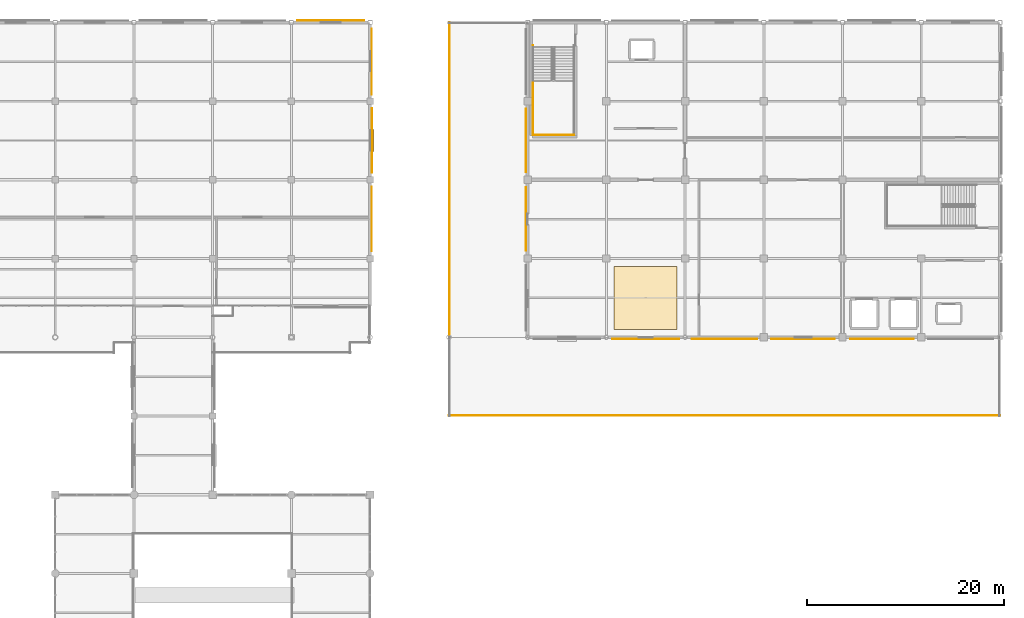
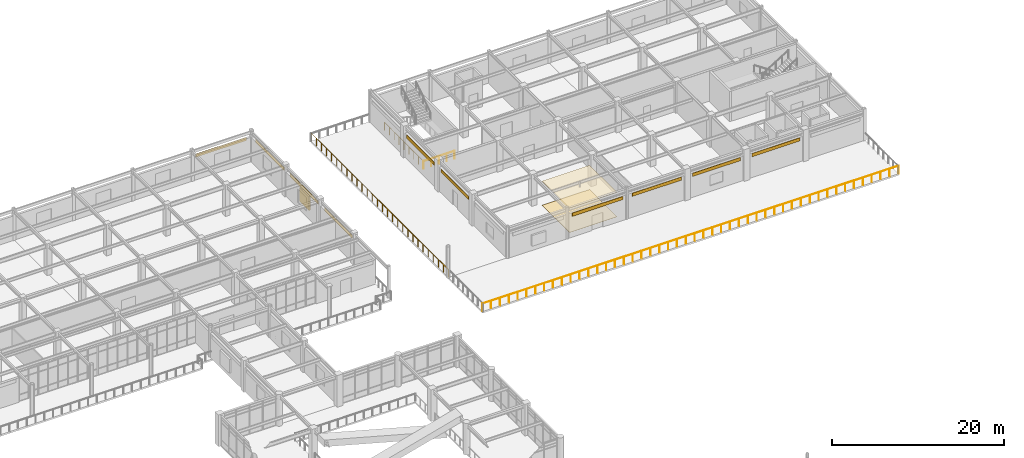
# One storey, part 71 of 75: 12 coverings, 4 railings, 1 shading device.
"""IFC4 building model written with IfcOpenShell, lengths in metres."""

from ifc_helpers import new_model, si_unit, direction, frame, origin, origin_2d, place, context, subcontext, project, spatial, polyline, rectangle, circle, outline, extrude, material, layer, layer_set, type_object, element, save


model = new_model("IFC4")

# Units and contexts
model_context = context("Model", 3, precision=1e-05, world=origin(), true_north=direction((0.0, 1.0)))
body_context = subcontext(model_context, "Body", "Model", "MODEL_VIEW")
ifc_project = project(units=[si_unit("LENGTHUNIT", "METRE"), si_unit("AREAUNIT", "SQUARE_METRE"), si_unit("VOLUMEUNIT", "CUBIC_METRE"), si_unit("PLANEANGLEUNIT", "RADIAN"), si_unit("MASSUNIT", "GRAM", prefix="KILO")], contexts=[model_context])

# Site, building, storey
site_placement = place(None, origin())
site = spatial("IfcSite", under=ifc_project, at=site_placement, CompositionType="ELEMENT")
building_placement = place(site_placement, origin())
building = spatial("IfcBuilding", under=site, at=building_placement, Name="Solmirada Galleria", CompositionType="ELEMENT")
storey_placement = place(building_placement, frame((0.0, 0.0, 19.39990234375)))
storey = spatial("IfcBuildingStorey", under=building, at=storey_placement, Name="L04", CompositionType="ELEMENT", Elevation=19.39990234375)

# Coverings
ifc_material_1 = material(Name="Perforated acoustic mineral-fibre ceiling")
ifc_layer_1 = layer(ifc_material_1, 0.02490234375)
ifc_layer_set_1 = layer_set([ifc_layer_1], Name="Perforated acoustic mineral-fibre ceiling")
covering_type_1 = type_object("IfcCoveringType", Name="COV-CEIL-ACOUST", PredefinedType="CEILING", material=ifc_layer_set_1)
covering_1_placement = place(storey_placement, frame((0.0, 0.0, 3.4501953125)))
element("IfcCovering", 1, at=covering_1_placement, inside=storey, type_object=covering_type_1, Name="Acoustic ceiling panel L04-3", PredefinedType="CEILING", context=body_context, shape_type="SweptSolid", body=[
    extrude(outline(polyline([(136.800048828125, 88.800048828125), (143.199951171875, 88.800048828125), (143.199951171875, 95.199951171875), (136.800048828125, 95.199951171875), (136.800048828125, 88.800048828125)])), origin(), (0.0, 0.0, 1.0), 0.02490234375),
])
ifc_material_2 = material(Name="Limestone cladding panels", Category="masonry")
ifc_layer_2 = layer(ifc_material_2, 0.044921875)
ifc_layer_set_2 = layer_set([ifc_layer_2], Name="Limestone cladding panels")
covering_type_2 = type_object("IfcCoveringType", Name="COV-CLAD-LIME", PredefinedType="CLADDING", material=ifc_layer_set_2)
covering_2_placement = place(storey_placement, frame((108.0, 120.16748046875, 2.990234375), z_axis=(0.0, 0.0, 1.0), x_axis=(1.0, 0.0, 0.0)))
element("IfcCovering", 2, at=covering_2_placement, inside=storey, type_object=covering_type_2, Name="Postmodern facade cladding L04-265", PredefinedType="CLADDING", context=body_context, shape_type="SweptSolid", body=[
    extrude(rectangle(XDim=6.7939453125, YDim=0.044921875, at=origin_2d()), origin(), (0.0, 0.0, 1.0), 0.4599609375),
])
covering_3_placement = place(storey_placement, frame((112.16748046875, 108.0, 2.990234375), z_axis=(0.0, 0.0, 1.0), x_axis=(0.0, -1.0, 0.0)))
element("IfcCovering", 3, at=covering_3_placement, inside=storey, type_object=covering_type_2, Name="Postmodern facade cladding L04-267", PredefinedType="CLADDING", context=body_context, shape_type="SweptSolid", body=[
    extrude(rectangle(XDim=6.550048828125, YDim=0.044921875, at=origin_2d()), origin(), (0.0, 0.0, 1.0), 0.4599609375),
])
covering_4_placement = place(storey_placement, frame((156.0, 87.83251953125, 2.990234375), z_axis=(0.0, 0.0, 1.0), x_axis=(-1.0, 0.0, 0.0)))
element("IfcCovering", 4, at=covering_4_placement, inside=storey, type_object=covering_type_2, Name="Postmodern facade cladding L04-298", PredefinedType="CLADDING", context=body_context, shape_type="SweptSolid", body=[
    extrude(rectangle(XDim=6.449951171875, YDim=0.044921875, at=origin_2d()), origin(), (0.0, 0.0, 1.0), 0.4599609375),
])
covering_5_placement = place(storey_placement, frame((140.0, 87.83251953125, 2.990234375), z_axis=(0.0, 0.0, 1.0), x_axis=(-1.0, 0.0, 0.0)))
element("IfcCovering", 5, at=covering_5_placement, inside=storey, type_object=covering_type_2, Name="Postmodern facade cladding L04-300", PredefinedType="CLADDING", context=body_context, shape_type="SweptSolid", body=[
    extrude(rectangle(XDim=6.7939453125, YDim=0.044921875, at=origin_2d()), origin(), (0.0, 0.0, 1.0), 0.4599609375),
])
covering_6_placement = place(storey_placement, frame((127.83251953125, 108.0, 2.990234375), z_axis=(0.0, 0.0, 1.0), x_axis=(0.0, 1.0, 0.0)))
element("IfcCovering", 6, at=covering_6_placement, inside=storey, type_object=covering_type_2, Name="Postmodern facade cladding L04-304", PredefinedType="CLADDING", context=body_context, shape_type="SweptSolid", body=[
    extrude(rectangle(XDim=6.449951171875, YDim=0.044921875, at=origin_2d()), origin(), (0.0, 0.0, 1.0), 0.4599609375),
])
ifc_material_3 = material(Name="Glazed terracotta facade panels", Category="masonry")
ifc_layer_3 = layer(ifc_material_3, 0.0400390625)
ifc_layer_set_3 = layer_set([ifc_layer_3], Name="Glazed terracotta facade panels")
covering_type_3 = type_object("IfcCoveringType", Name="COV-CLAD-TERRA", PredefinedType="CLADDING", material=ifc_layer_set_3)
covering_7_placement = place(storey_placement, frame((112.1650390625, 116.0, 2.990234375), z_axis=(0.0, 0.0, 1.0), x_axis=(0.0, -1.0, 0.0)))
element("IfcCovering", 7, at=covering_7_placement, inside=storey, type_object=covering_type_3, Name="Postmodern facade cladding L04-266", PredefinedType="CLADDING", context=body_context, shape_type="SweptSolid", body=[
    extrude(rectangle(XDim=6.672119140625, YDim=0.0400390625, at=origin_2d()), origin(), (0.0, 0.0, 1.0), 0.4599609375),
])
covering_8_placement = place(storey_placement, frame((112.1650390625, 100.0, 2.990234375), z_axis=(0.0, 0.0, 1.0), x_axis=(0.0, -1.0, 0.0)))
element("IfcCovering", 8, at=covering_8_placement, inside=storey, type_object=covering_type_3, Name="Postmodern facade cladding L04-268", PredefinedType="CLADDING", context=body_context, shape_type="SweptSolid", body=[
    extrude(rectangle(XDim=6.550048828125, YDim=0.0400390625, at=origin_2d()), origin(), (0.0, 0.0, 1.0), 0.4599609375),
])
covering_9_placement = place(storey_placement, frame((164.0, 87.8349609375, 2.990234375), z_axis=(0.0, 0.0, 1.0), x_axis=(-1.0, 0.0, 0.0)))
element("IfcCovering", 9, at=covering_9_placement, inside=storey, type_object=covering_type_3, Name="Postmodern facade cladding L04-297", PredefinedType="CLADDING", context=body_context, shape_type="SweptSolid", body=[
    extrude(rectangle(XDim=6.449951171875, YDim=0.0400390625, at=origin_2d()), origin(), (0.0, 0.0, 1.0), 0.4599609375),
])
covering_10_placement = place(storey_placement, frame((148.0, 87.8349609375, 2.990234375), z_axis=(0.0, 0.0, 1.0), x_axis=(-1.0, 0.0, 0.0)))
element("IfcCovering", 10, at=covering_10_placement, inside=storey, type_object=covering_type_3, Name="Postmodern facade cladding L04-299", PredefinedType="CLADDING", context=body_context, shape_type="SweptSolid", body=[
    extrude(rectangle(XDim=6.6220703125, YDim=0.0400390625, at=origin_2d()), origin(), (0.0, 0.0, 1.0), 0.4599609375),
])
covering_11_placement = place(storey_placement, frame((127.8349609375, 100.0, 2.990234375), z_axis=(0.0, 0.0, 1.0), x_axis=(0.0, 1.0, 0.0)))
element("IfcCovering", 11, at=covering_11_placement, inside=storey, type_object=covering_type_3, Name="Postmodern facade cladding L04-303", PredefinedType="CLADDING", context=body_context, shape_type="SweptSolid", body=[
    extrude(rectangle(XDim=6.449951171875, YDim=0.0400390625, at=origin_2d()), origin(), (0.0, 0.0, 1.0), 0.4599609375),
])
ifc_material_4 = material(Name="Polished terrazzo and porcelain tile flooring")
ifc_layer_4 = layer(ifc_material_4, 0.030029296875)
ifc_layer_set_4 = layer_set([ifc_layer_4], Name="Polished terrazzo and porcelain tile flooring")
covering_type_4 = type_object("IfcCoveringType", Name="COV-FLOOR-TERRAZ", PredefinedType="FLOORING", material=ifc_layer_set_4)
covering_12_placement = place(storey_placement, origin())
element("IfcCovering", 12, at=covering_12_placement, inside=storey, type_object=covering_type_4, Name="Terrazzo floor finish L04-3", PredefinedType="FLOORING", context=body_context, shape_type="SweptSolid", body=[
    extrude(outline(polyline([(136.800048828125, 88.800048828125), (143.199951171875, 88.800048828125), (143.199951171875, 95.199951171875), (136.800048828125, 95.199951171875), (136.800048828125, 88.800048828125)])), origin(), (0.0, 0.0, 1.0), 0.030029296875),
])

# Railings
ifc_material_5 = material(Name="Painted steel tubular railing", Category="steel")
railing_type_1 = type_object("IfcRailingType", Name="RAIL-STAIR-GUARD", PredefinedType="GUARDRAIL", material=ifc_material_5)
railing_1_placement = place(storey_placement, frame((132.7099609375, 108.5400390625, 0.0)))
element("IfcRailing", 13, at=railing_1_placement, inside=storey, type_object=railing_type_1, Name="Stair ST3 well edge guard L04-2", PredefinedType="GUARDRAIL", context=body_context, shape_type="SweptSolid", body=[
    extrude(circle(Radius=0.02392578125, at=origin_2d()), frame((0.0, 0.0, 1.09619140625), z_axis=(-1.0, 0.0, 0.0), x_axis=(0.0, -1.0, 0.0)), (0.0, 0.0, 1.0), 4.169921875),
    extrude(circle(Radius=0.02099609375, at=origin_2d()), origin(), (0.0, 0.0, 1.0), 1.068115234375),
    extrude(circle(Radius=0.02099609375, at=origin_2d()), frame((-1.04248046875, 0.0, 0.0)), (0.0, 0.0, 1.0), 1.068115234375),
    extrude(circle(Radius=0.02099609375, at=origin_2d()), frame((-2.0849609375, 0.0, 0.0)), (0.0, 0.0, 1.0), 1.068115234375),
    extrude(circle(Radius=0.02099609375, at=origin_2d()), frame((-3.12744140625, 0.0, 0.0)), (0.0, 0.0, 1.0), 1.068115234375),
    extrude(circle(Radius=0.02099609375, at=origin_2d()), frame((-4.169921875, 0.0, 0.0)), (0.0, 0.0, 1.0), 1.068115234375),
])
railing_2_placement = place(storey_placement, frame((128.5400390625, 108.5400390625, 0.0)))
element("IfcRailing", 14, at=railing_2_placement, inside=storey, type_object=railing_type_1, Name="Stair ST3 well edge guard L04-3", PredefinedType="GUARDRAIL", context=body_context, shape_type="SweptSolid", body=[
    extrude(circle(Radius=0.02392578125, at=origin_2d()), frame((0.0, 0.0, 1.09619140625), z_axis=(0.0, 1.0, 0.0), x_axis=(-1.0, 0.0, 0.0)), (0.0, 0.0, 1.0), 9.10986328125),
    extrude(circle(Radius=0.02099609375, at=origin_2d()), origin(), (0.0, 0.0, 1.0), 1.068115234375),
    extrude(circle(Radius=0.02099609375, at=origin_2d()), frame((0.0, 1.138671875, 0.0)), (0.0, 0.0, 1.0), 1.068115234375),
    extrude(circle(Radius=0.02099609375, at=origin_2d()), frame((0.0, 2.27734375, 0.0)), (0.0, 0.0, 1.0), 1.068115234375),
    extrude(circle(Radius=0.02099609375, at=origin_2d()), frame((0.0, 3.416259765625, 0.0)), (0.0, 0.0, 1.0), 1.068115234375),
    extrude(circle(Radius=0.02099609375, at=origin_2d()), frame((0.0, 4.554931640625, 0.0)), (0.0, 0.0, 1.0), 1.068115234375),
    extrude(circle(Radius=0.02099609375, at=origin_2d()), frame((0.0, 5.693603515625, 0.0)), (0.0, 0.0, 1.0), 1.068115234375),
    extrude(circle(Radius=0.02099609375, at=origin_2d()), frame((0.0, 6.83251953125, 0.0)), (0.0, 0.0, 1.0), 1.068115234375),
    extrude(circle(Radius=0.02099609375, at=origin_2d()), frame((0.0, 7.97119140625, 0.0)), (0.0, 0.0, 1.0), 1.068115234375),
    extrude(circle(Radius=0.02099609375, at=origin_2d()), frame((0.0, 9.10986328125, 0.0)), (0.0, 0.0, 1.0), 1.068115234375),
])
ifc_material_6 = material(Name="Painted galvanized steel balustrade", Category="steel")
railing_type_2 = type_object("IfcRailingType", Name="RAIL-TERR-1100", PredefinedType="GUARDRAIL", material=ifc_material_6)
railing_3_placement = place(storey_placement, frame((120.0, 80.050048828125, 0.0)))
element("IfcRailing", 15, at=railing_3_placement, inside=storey, type_object=railing_type_2, Name="Terrace guardrail L04-TERR-WING1 E1.1", PredefinedType="GUARDRAIL", context=body_context, shape_type="SweptSolid", body=[
    extrude(circle(Radius=0.02392578125, at=origin_2d()), frame((0.0, 0.0, 1.09619140625), z_axis=(1.0, 0.0, 0.0), x_axis=(0.0, 1.0, 0.0)), (0.0, 0.0, 1.0), 56.0),
    extrude(circle(Radius=0.02099609375, at=origin_2d()), origin(), (0.0, 0.0, 1.0), 1.068115234375),
    extrude(circle(Radius=0.02099609375, at=origin_2d()), frame((1.19140625, 0.0, 0.0)), (0.0, 0.0, 1.0), 1.068115234375),
    extrude(circle(Radius=0.02099609375, at=origin_2d()), frame((2.383056640625, 0.0, 0.0)), (0.0, 0.0, 1.0), 1.068115234375),
    extrude(circle(Radius=0.02099609375, at=origin_2d()), frame((3.574462890625, 0.0, 0.0)), (0.0, 0.0, 1.0), 1.068115234375),
    extrude(circle(Radius=0.02099609375, at=origin_2d()), frame((4.765869140625, 0.0, 0.0)), (0.0, 0.0, 1.0), 1.068115234375),
    extrude(circle(Radius=0.02099609375, at=origin_2d()), frame((5.95751953125, 0.0, 0.0)), (0.0, 0.0, 1.0), 1.068115234375),
    extrude(circle(Radius=0.02099609375, at=origin_2d()), frame((7.14892578125, 0.0, 0.0)), (0.0, 0.0, 1.0), 1.068115234375),
    extrude(circle(Radius=0.02099609375, at=origin_2d()), frame((8.34033203125, 0.0, 0.0)), (0.0, 0.0, 1.0), 1.068115234375),
    extrude(circle(Radius=0.02099609375, at=origin_2d()), frame((9.531982421875, 0.0, 0.0)), (0.0, 0.0, 1.0), 1.068115234375),
    extrude(circle(Radius=0.02099609375, at=origin_2d()), frame((10.723388671875, 0.0, 0.0)), (0.0, 0.0, 1.0), 1.068115234375),
    extrude(circle(Radius=0.02099609375, at=origin_2d()), frame((11.914794921875, 0.0, 0.0)), (0.0, 0.0, 1.0), 1.068115234375),
    extrude(circle(Radius=0.02099609375, at=origin_2d()), frame((13.1064453125, 0.0, 0.0)), (0.0, 0.0, 1.0), 1.068115234375),
    extrude(circle(Radius=0.02099609375, at=origin_2d()), frame((14.2978515625, 0.0, 0.0)), (0.0, 0.0, 1.0), 1.068115234375),
    extrude(circle(Radius=0.02099609375, at=origin_2d()), frame((15.4892578125, 0.0, 0.0)), (0.0, 0.0, 1.0), 1.068115234375),
    extrude(circle(Radius=0.02099609375, at=origin_2d()), frame((16.680908203125, 0.0, 0.0)), (0.0, 0.0, 1.0), 1.068115234375),
    extrude(circle(Radius=0.02099609375, at=origin_2d()), frame((17.872314453125, 0.0, 0.0)), (0.0, 0.0, 1.0), 1.068115234375),
    extrude(circle(Radius=0.02099609375, at=origin_2d()), frame((19.063720703125, 0.0, 0.0)), (0.0, 0.0, 1.0), 1.068115234375),
    extrude(circle(Radius=0.02099609375, at=origin_2d()), frame((20.25537109375, 0.0, 0.0)), (0.0, 0.0, 1.0), 1.068115234375),
    extrude(circle(Radius=0.02099609375, at=origin_2d()), frame((21.44677734375, 0.0, 0.0)), (0.0, 0.0, 1.0), 1.068115234375),
    extrude(circle(Radius=0.02099609375, at=origin_2d()), frame((22.63818359375, 0.0, 0.0)), (0.0, 0.0, 1.0), 1.068115234375),
    extrude(circle(Radius=0.02099609375, at=origin_2d()), frame((23.829833984375, 0.0, 0.0)), (0.0, 0.0, 1.0), 1.068115234375),
    extrude(circle(Radius=0.02099609375, at=origin_2d()), frame((25.021240234375, 0.0, 0.0)), (0.0, 0.0, 1.0), 1.068115234375),
    extrude(circle(Radius=0.02099609375, at=origin_2d()), frame((26.212646484375, 0.0, 0.0)), (0.0, 0.0, 1.0), 1.068115234375),
    extrude(circle(Radius=0.02099609375, at=origin_2d()), frame((27.404296875, 0.0, 0.0)), (0.0, 0.0, 1.0), 1.068115234375),
    extrude(circle(Radius=0.02099609375, at=origin_2d()), frame((28.595703125, 0.0, 0.0)), (0.0, 0.0, 1.0), 1.068115234375),
    extrude(circle(Radius=0.02099609375, at=origin_2d()), frame((29.787353515625, 0.0, 0.0)), (0.0, 0.0, 1.0), 1.068115234375),
    extrude(circle(Radius=0.02099609375, at=origin_2d()), frame((30.978759765625, 0.0, 0.0)), (0.0, 0.0, 1.0), 1.068115234375),
    extrude(circle(Radius=0.02099609375, at=origin_2d()), frame((32.170166015625, 0.0, 0.0)), (0.0, 0.0, 1.0), 1.068115234375),
    extrude(circle(Radius=0.02099609375, at=origin_2d()), frame((33.36181640625, 0.0, 0.0)), (0.0, 0.0, 1.0), 1.068115234375),
    extrude(circle(Radius=0.02099609375, at=origin_2d()), frame((34.55322265625, 0.0, 0.0)), (0.0, 0.0, 1.0), 1.068115234375),
    extrude(circle(Radius=0.02099609375, at=origin_2d()), frame((35.74462890625, 0.0, 0.0)), (0.0, 0.0, 1.0), 1.068115234375),
    extrude(circle(Radius=0.02099609375, at=origin_2d()), frame((36.936279296875, 0.0, 0.0)), (0.0, 0.0, 1.0), 1.068115234375),
    extrude(circle(Radius=0.02099609375, at=origin_2d()), frame((38.127685546875, 0.0, 0.0)), (0.0, 0.0, 1.0), 1.068115234375),
    extrude(circle(Radius=0.02099609375, at=origin_2d()), frame((39.319091796875, 0.0, 0.0)), (0.0, 0.0, 1.0), 1.068115234375),
    extrude(circle(Radius=0.02099609375, at=origin_2d()), frame((40.5107421875, 0.0, 0.0)), (0.0, 0.0, 1.0), 1.068115234375),
    extrude(circle(Radius=0.02099609375, at=origin_2d()), frame((41.7021484375, 0.0, 0.0)), (0.0, 0.0, 1.0), 1.068115234375),
    extrude(circle(Radius=0.02099609375, at=origin_2d()), frame((42.8935546875, 0.0, 0.0)), (0.0, 0.0, 1.0), 1.068115234375),
    extrude(circle(Radius=0.02099609375, at=origin_2d()), frame((44.085205078125, 0.0, 0.0)), (0.0, 0.0, 1.0), 1.068115234375),
    extrude(circle(Radius=0.02099609375, at=origin_2d()), frame((45.276611328125, 0.0, 0.0)), (0.0, 0.0, 1.0), 1.068115234375),
    extrude(circle(Radius=0.02099609375, at=origin_2d()), frame((46.468017578125, 0.0, 0.0)), (0.0, 0.0, 1.0), 1.068115234375),
    extrude(circle(Radius=0.02099609375, at=origin_2d()), frame((47.65966796875, 0.0, 0.0)), (0.0, 0.0, 1.0), 1.068115234375),
    extrude(circle(Radius=0.02099609375, at=origin_2d()), frame((48.85107421875, 0.0, 0.0)), (0.0, 0.0, 1.0), 1.068115234375),
    extrude(circle(Radius=0.02099609375, at=origin_2d()), frame((50.04248046875, 0.0, 0.0)), (0.0, 0.0, 1.0), 1.068115234375),
    extrude(circle(Radius=0.02099609375, at=origin_2d()), frame((51.234130859375, 0.0, 0.0)), (0.0, 0.0, 1.0), 1.068115234375),
    extrude(circle(Radius=0.02099609375, at=origin_2d()), frame((52.425537109375, 0.0, 0.0)), (0.0, 0.0, 1.0), 1.068115234375),
    extrude(circle(Radius=0.02099609375, at=origin_2d()), frame((53.616943359375, 0.0, 0.0)), (0.0, 0.0, 1.0), 1.068115234375),
    extrude(circle(Radius=0.02099609375, at=origin_2d()), frame((54.80859375, 0.0, 0.0)), (0.0, 0.0, 1.0), 1.068115234375),
    extrude(circle(Radius=0.02099609375, at=origin_2d()), frame((56.0, 0.0, 0.0)), (0.0, 0.0, 1.0), 1.068115234375),
])
railing_4_placement = place(storey_placement, frame((120.050048828125, 120.0, 0.0)))
element("IfcRailing", 16, at=railing_4_placement, inside=storey, type_object=railing_type_2, Name="Terrace guardrail L04-TERR-WING2 E4.1", PredefinedType="GUARDRAIL", context=body_context, shape_type="SweptSolid", body=[
    extrude(circle(Radius=0.02392578125, at=origin_2d()), frame((0.0, 0.0, 1.09619140625), z_axis=(0.0, -1.0, 0.0), x_axis=(1.0, 0.0, 0.0)), (0.0, 0.0, 1.0), 32.0),
    extrude(circle(Radius=0.02099609375, at=origin_2d()), origin(), (0.0, 0.0, 1.0), 1.068115234375),
    extrude(circle(Radius=0.02099609375, at=origin_2d()), frame((0.0, -1.185302734375, 0.0)), (0.0, 0.0, 1.0), 1.068115234375),
    extrude(circle(Radius=0.02099609375, at=origin_2d()), frame((0.0, -2.370361328125, 0.0)), (0.0, 0.0, 1.0), 1.068115234375),
    extrude(circle(Radius=0.02099609375, at=origin_2d()), frame((0.0, -3.5556640625, 0.0)), (0.0, 0.0, 1.0), 1.068115234375),
    extrude(circle(Radius=0.02099609375, at=origin_2d()), frame((0.0, -4.74072265625, 0.0)), (0.0, 0.0, 1.0), 1.068115234375),
    extrude(circle(Radius=0.02099609375, at=origin_2d()), frame((0.0, -5.926025390625, 0.0)), (0.0, 0.0, 1.0), 1.068115234375),
    extrude(circle(Radius=0.02099609375, at=origin_2d()), frame((0.0, -7.111083984375, 0.0)), (0.0, 0.0, 1.0), 1.068115234375),
    extrude(circle(Radius=0.02099609375, at=origin_2d()), frame((0.0, -8.29638671875, 0.0)), (0.0, 0.0, 1.0), 1.068115234375),
    extrude(circle(Radius=0.02099609375, at=origin_2d()), frame((0.0, -9.4814453125, 0.0)), (0.0, 0.0, 1.0), 1.068115234375),
    extrude(circle(Radius=0.02099609375, at=origin_2d()), frame((0.0, -10.666748046875, 0.0)), (0.0, 0.0, 1.0), 1.068115234375),
    extrude(circle(Radius=0.02099609375, at=origin_2d()), frame((0.0, -11.851806640625, 0.0)), (0.0, 0.0, 1.0), 1.068115234375),
    extrude(circle(Radius=0.02099609375, at=origin_2d()), frame((0.0, -13.037109375, 0.0)), (0.0, 0.0, 1.0), 1.068115234375),
    extrude(circle(Radius=0.02099609375, at=origin_2d()), frame((0.0, -14.22216796875, 0.0)), (0.0, 0.0, 1.0), 1.068115234375),
    extrude(circle(Radius=0.02099609375, at=origin_2d()), frame((0.0, -15.407470703125, 0.0)), (0.0, 0.0, 1.0), 1.068115234375),
    extrude(circle(Radius=0.02099609375, at=origin_2d()), frame((0.0, -16.592529296875, 0.0)), (0.0, 0.0, 1.0), 1.068115234375),
    extrude(circle(Radius=0.02099609375, at=origin_2d()), frame((0.0, -17.77783203125, 0.0)), (0.0, 0.0, 1.0), 1.068115234375),
    extrude(circle(Radius=0.02099609375, at=origin_2d()), frame((0.0, -18.962890625, 0.0)), (0.0, 0.0, 1.0), 1.068115234375),
    extrude(circle(Radius=0.02099609375, at=origin_2d()), frame((0.0, -20.148193359375, 0.0)), (0.0, 0.0, 1.0), 1.068115234375),
    extrude(circle(Radius=0.02099609375, at=origin_2d()), frame((0.0, -21.333251953125, 0.0)), (0.0, 0.0, 1.0), 1.068115234375),
    extrude(circle(Radius=0.02099609375, at=origin_2d()), frame((0.0, -22.5185546875, 0.0)), (0.0, 0.0, 1.0), 1.068115234375),
    extrude(circle(Radius=0.02099609375, at=origin_2d()), frame((0.0, -23.70361328125, 0.0)), (0.0, 0.0, 1.0), 1.068115234375),
    extrude(circle(Radius=0.02099609375, at=origin_2d()), frame((0.0, -24.888916015625, 0.0)), (0.0, 0.0, 1.0), 1.068115234375),
    extrude(circle(Radius=0.02099609375, at=origin_2d()), frame((0.0, -26.073974609375, 0.0)), (0.0, 0.0, 1.0), 1.068115234375),
    extrude(circle(Radius=0.02099609375, at=origin_2d()), frame((0.0, -27.25927734375, 0.0)), (0.0, 0.0, 1.0), 1.068115234375),
    extrude(circle(Radius=0.02099609375, at=origin_2d()), frame((0.0, -28.4443359375, 0.0)), (0.0, 0.0, 1.0), 1.068115234375),
    extrude(circle(Radius=0.02099609375, at=origin_2d()), frame((0.0, -29.629638671875, 0.0)), (0.0, 0.0, 1.0), 1.068115234375),
    extrude(circle(Radius=0.02099609375, at=origin_2d()), frame((0.0, -30.814697265625, 0.0)), (0.0, 0.0, 1.0), 1.068115234375),
    extrude(circle(Radius=0.02099609375, at=origin_2d()), frame((0.0, -32.0, 0.0)), (0.0, 0.0, 1.0), 1.068115234375),
])

# Shading device
ifc_material_7 = material(Name="Extruded aluminium storm louvres", Category="aluminium")
shading_device_type = type_object("IfcShadingDeviceType", Name="SHD-JALOUSIE", PredefinedType="JALOUSIE", material=ifc_material_7)
shading_device_placement = place(storey_placement, frame((112.27490234375, 108.0, 0.80029296875), z_axis=(0.0, 0.0, 1.0), x_axis=(0.0, -1.0, 0.0)))
element("IfcShadingDevice", 17, at=shading_device_placement, inside=storey, type_object=shading_device_type, Name="Hurricane storm jalousie louvre 082", PredefinedType="JALOUSIE", context=body_context, shape_type="SweptSolid", body=[
    extrude(rectangle(XDim=2.2099609375, YDim=0.260009765625, at=origin_2d()), origin(), (0.0, 0.0, 1.0), 1.949951171875),
])

save(model, "model.ifc")
